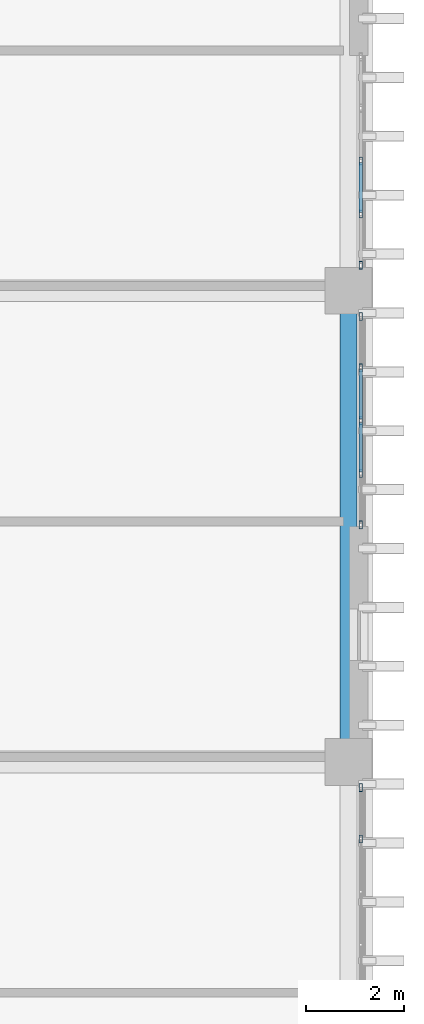
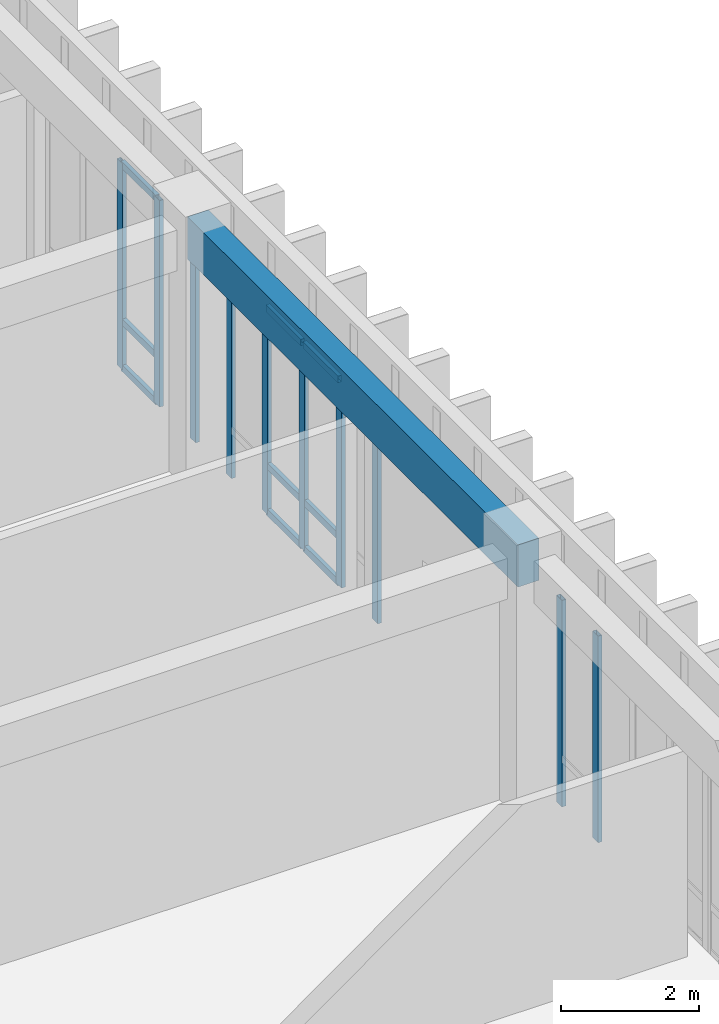
# One storey, part 80 of 133: 19 members, 1 beam, 3 elements without a shape of their own.
"""IFC4 building model written with IfcOpenShell, lengths in metres."""

from ifc_helpers import new_model, si_unit, direction, frame, origin, origin_2d, place, context, subcontext, project, spatial, rectangle, hollow_rectangle, extrude, material, layer, layer_set, material_profile, profile_set, type_object, element, aggregate, save


model = new_model("IFC4")

# Units and contexts
model_context = context("Model", 3, precision=1e-05, world=origin(), true_north=direction((0.0, 1.0)))
body_context = subcontext(model_context, "Body", "Model", "MODEL_VIEW")
ifc_project = project(units=[si_unit("LENGTHUNIT", "METRE"), si_unit("AREAUNIT", "SQUARE_METRE"), si_unit("VOLUMEUNIT", "CUBIC_METRE"), si_unit("PLANEANGLEUNIT", "RADIAN"), si_unit("MASSUNIT", "GRAM", prefix="KILO")], contexts=[model_context])

# Site, building, storey
site_placement = place(None, origin())
site = spatial("IfcSite", under=ifc_project, at=site_placement, CompositionType="ELEMENT")
building_placement = place(site_placement, origin())
building = spatial("IfcBuilding", under=site, at=building_placement, Name="Nakhvara Creek Congress Hotel", CompositionType="ELEMENT")
storey_placement = place(building_placement, frame((0.0, 0.0, 11.39990234375)))
storey = spatial("IfcBuildingStorey", under=building, at=storey_placement, Name="L02", CompositionType="ELEMENT", Elevation=11.39990234375)

# Beam
ifc_material_1 = material(Name="Concrete C40/50", Category="concrete")
ifc_material_profile_1 = material_profile(ifc_material_1, rectangle(XDim=0.35009765625, YDim=0.75, at=origin_2d()), Name="RC-SPANDREL 350x750", Category="LoadBearing")
ifc_profile_set_1 = profile_set([ifc_material_profile_1], Name="Concrete C40/50")
beam_type = type_object("IfcBeamType", Name="BM-SPN-350X750", PredefinedType="SPANDREL", material=ifc_profile_set_1)
beam_placement = place(storey_placement, frame((179.35009765625, 96.0, 4.045166015625), z_axis=(0.0, 1.0, 0.0), x_axis=(-1.0, 0.0, 0.0)))
element("IfcBeam", 1, at=beam_placement, inside=storey, type_object=beam_type, Name="Beam SP1-L02-1661", PredefinedType="SPANDREL", context=body_context, shape_type="SweptSolid", body=[
    extrude(rectangle(XDim=0.35009765625, YDim=0.75, at=origin_2d()), origin(), (0.0, 0.0, 1.0), 9.60009765625),
])

# Curtain wall, members
ifc_material_2 = material(Name="Bronze-anodised aluminium AW-6063-T6 and double-silver low-E glass", Category="aluminium")
ifc_layer = layer(ifc_material_2, 0.199951171875)
ifc_layer_set = layer_set([ifc_layer], Name="Bronze-anodised aluminium AW-6063-T6 and double-silver low-E glass")
curtain_wall_type = type_object("IfcCurtainWallType", Name="CW-HTL-UNIT", PredefinedType="USERDEFINED", material=ifc_layer_set)
curtain_wall_1_placement = place(storey_placement, origin())
curtain_wall_1 = element("IfcCurtainWall", 2, at=curtain_wall_1_placement, inside=storey, type_object=curtain_wall_type, Name="Curtain Wall CW141", ObjectType="UNITISED", PredefinedType="USERDEFINED")
ifc_material_3 = material(Name="Bronze-anodised aluminium AW-6063-T6", Category="aluminium")
ifc_material_profile_2 = material_profile(ifc_material_3, hollow_rectangle(XDim=0.06494140625, YDim=0.159912109375, WallThickness=0.00390625, at=origin_2d()), Name="ALU-MULL 65x160x4", Category="LoadBearing")
ifc_profile_set_2 = profile_set([ifc_material_profile_2], Name="Bronze-anodised aluminium AW-6063-T6")
member_type_1 = type_object("IfcMemberType", Name="CW-MULL-160", PredefinedType="MULLION", material=ifc_profile_set_2)
member_1_placement = place(storey_placement, frame((179.60009765625, 95.4775390625, 0.0), z_axis=(0.0, 0.0, 1.0), x_axis=(1.0, 0.0, 0.0)))
member_1 = element("IfcMember", 3, at=member_1_placement, type_object=member_type_1, Name="CW141 mullion 1", PredefinedType="MULLION", context=body_context, shape_type="SweptSolid", body=[
    extrude(hollow_rectangle(XDim=0.06494140625, YDim=0.159912109375, WallThickness=0.00390625, at=origin_2d()), origin(), (0.0, 0.0, 1.0), 3.662109375),
])
member_2_placement = place(storey_placement, frame((179.60009765625, 94.4326171875, 0.0), z_axis=(0.0, 0.0, 1.0), x_axis=(1.0, 0.0, 0.0)))
member_2 = element("IfcMember", 4, at=member_2_placement, type_object=member_type_1, Name="CW141 mullion 2", PredefinedType="MULLION", context=body_context, shape_type="SweptSolid", body=[
    extrude(hollow_rectangle(XDim=0.06494140625, YDim=0.159912109375, WallThickness=0.00390625, at=origin_2d()), origin(), (0.0, 0.0, 1.0), 3.662109375),
])
aggregate(curtain_wall_1, [member_1, member_2])

curtain_wall_2_placement = place(storey_placement, origin())
curtain_wall_2 = element("IfcCurtainWall", 5, at=curtain_wall_2_placement, inside=storey, type_object=curtain_wall_type, Name="Curtain Wall CW143", ObjectType="UNITISED", PredefinedType="USERDEFINED")
member_3_placement = place(storey_placement, frame((179.60009765625, 105.077392578125, 0.0), z_axis=(0.0, 0.0, 1.0), x_axis=(1.0, 0.0, 0.0)))
member_3 = element("IfcMember", 6, at=member_3_placement, type_object=member_type_1, Name="CW143 mullion 1", PredefinedType="MULLION", context=body_context, shape_type="SweptSolid", body=[
    extrude(hollow_rectangle(XDim=0.06494140625, YDim=0.159912109375, WallThickness=0.00390625, at=origin_2d()), origin(), (0.0, 0.0, 1.0), 3.662109375),
])
member_4_placement = place(storey_placement, frame((179.60009765625, 104.032470703125, 0.0), z_axis=(0.0, 0.0, 1.0), x_axis=(1.0, 0.0, 0.0)))
member_4 = element("IfcMember", 7, at=member_4_placement, type_object=member_type_1, Name="CW143 mullion 2", PredefinedType="MULLION", context=body_context, shape_type="SweptSolid", body=[
    extrude(hollow_rectangle(XDim=0.06494140625, YDim=0.159912109375, WallThickness=0.00390625, at=origin_2d()), origin(), (0.0, 0.0, 1.0), 3.662109375),
])
member_5_placement = place(storey_placement, frame((179.60009765625, 102.955078125, 0.0), z_axis=(0.0, 0.0, 1.0), x_axis=(1.0, 0.0, 0.0)))
member_5 = element("IfcMember", 8, at=member_5_placement, type_object=member_type_1, Name="CW143 mullion 3", PredefinedType="MULLION", context=body_context, shape_type="SweptSolid", body=[
    extrude(hollow_rectangle(XDim=0.06494140625, YDim=0.159912109375, WallThickness=0.00390625, at=origin_2d()), origin(), (0.0, 0.0, 1.0), 3.662109375),
])
member_6_placement = place(storey_placement, frame((179.60009765625, 101.87744140625, 0.0), z_axis=(0.0, 0.0, 1.0), x_axis=(1.0, 0.0, 0.0)))
member_6 = element("IfcMember", 9, at=member_6_placement, type_object=member_type_1, Name="CW143 mullion 4", PredefinedType="MULLION", context=body_context, shape_type="SweptSolid", body=[
    extrude(hollow_rectangle(XDim=0.06494140625, YDim=0.159912109375, WallThickness=0.00390625, at=origin_2d()), origin(), (0.0, 0.0, 1.0), 3.662109375),
])
member_7_placement = place(storey_placement, frame((179.60009765625, 100.83251953125, 0.0), z_axis=(0.0, 0.0, 1.0), x_axis=(1.0, 0.0, 0.0)))
member_7 = element("IfcMember", 10, at=member_7_placement, type_object=member_type_1, Name="CW143 mullion 5", PredefinedType="MULLION", context=body_context, shape_type="SweptSolid", body=[
    extrude(hollow_rectangle(XDim=0.06494140625, YDim=0.159912109375, WallThickness=0.00390625, at=origin_2d()), origin(), (0.0, 0.0, 1.0), 3.662109375),
])

curtain_wall_3_placement = place(storey_placement, origin())
curtain_wall_3 = element("IfcCurtainWall", 11, at=curtain_wall_3_placement, inside=storey, type_object=curtain_wall_type, Name="Curtain Wall CW145", ObjectType="UNITISED", PredefinedType="USERDEFINED")
member_8_placement = place(storey_placement, frame((179.60009765625, 108.2451171875, 0.0), z_axis=(0.0, 0.0, 1.0), x_axis=(1.0, 0.0, 0.0)))
member_8 = element("IfcMember", 12, at=member_8_placement, type_object=member_type_1, Name="CW145 mullion 3", PredefinedType="MULLION", context=body_context, shape_type="SweptSolid", body=[
    extrude(hollow_rectangle(XDim=0.06494140625, YDim=0.159912109375, WallThickness=0.00390625, at=origin_2d()), origin(), (0.0, 0.0, 1.0), 3.662109375),
])
member_9_placement = place(storey_placement, frame((179.60009765625, 107.16748046875, 0.0), z_axis=(0.0, 0.0, 1.0), x_axis=(1.0, 0.0, 0.0)))
member_9 = element("IfcMember", 13, at=member_9_placement, type_object=member_type_1, Name="CW145 mullion 4", PredefinedType="MULLION", context=body_context, shape_type="SweptSolid", body=[
    extrude(hollow_rectangle(XDim=0.06494140625, YDim=0.159912109375, WallThickness=0.00390625, at=origin_2d()), origin(), (0.0, 0.0, 1.0), 3.662109375),
])
member_10_placement = place(storey_placement, frame((179.60009765625, 106.12255859375, 0.0), z_axis=(0.0, 0.0, 1.0), x_axis=(1.0, 0.0, 0.0)))
member_10 = element("IfcMember", 14, at=member_10_placement, type_object=member_type_1, Name="CW145 mullion 5", PredefinedType="MULLION", context=body_context, shape_type="SweptSolid", body=[
    extrude(hollow_rectangle(XDim=0.06494140625, YDim=0.159912109375, WallThickness=0.00390625, at=origin_2d()), origin(), (0.0, 0.0, 1.0), 3.662109375),
])

# Member
ifc_material_profile_3 = material_profile(ifc_material_3, hollow_rectangle(XDim=0.06494140625, YDim=0.1201171875, WallThickness=0.00390625, at=origin_2d()), Name="ALU-TRAN 65x120x4", Category="LoadBearing")
ifc_profile_set_3 = profile_set([ifc_material_profile_3], Name="Bronze-anodised aluminium AW-6063-T6")
member_type_2 = type_object("IfcMemberType", Name="CW-TRAN-120", PredefinedType="USERDEFINED", material=ifc_profile_set_3)
member_11_placement = place(storey_placement, frame((179.60009765625, 104.0, 0.03271484375), z_axis=(0.0, -1.0, 0.0), x_axis=(1.0, 0.0, 0.0)))
member_11 = element("IfcMember", 15, at=member_11_placement, type_object=member_type_2, Name="CW143 transom 2.1", ObjectType="TRANSOM", PredefinedType="USERDEFINED", context=body_context, shape_type="SweptSolid", body=[
    extrude(hollow_rectangle(XDim=0.06494140625, YDim=0.1201171875, WallThickness=0.00390625, at=origin_2d()), origin(), (0.0, 0.0, 1.0), 1.012451171875),
])

member_12_placement = place(storey_placement, frame((179.60009765625, 104.0, 0.85009765625), z_axis=(0.0, -1.0, 0.0), x_axis=(1.0, 0.0, 0.0)))
member_12 = element("IfcMember", 16, at=member_12_placement, type_object=member_type_2, Name="CW143 transom 2.2", ObjectType="TRANSOM", PredefinedType="USERDEFINED", context=body_context, shape_type="SweptSolid", body=[
    extrude(hollow_rectangle(XDim=0.06494140625, YDim=0.1201171875, WallThickness=0.00390625, at=origin_2d()), origin(), (0.0, 0.0, 1.0), 1.012451171875),
])

member_13_placement = place(storey_placement, frame((179.60009765625, 104.0, 3.629638671875), z_axis=(0.0, -1.0, 0.0), x_axis=(1.0, 0.0, 0.0)))
member_13 = element("IfcMember", 17, at=member_13_placement, type_object=member_type_2, Name="CW143 transom 2.3", ObjectType="TRANSOM", PredefinedType="USERDEFINED", context=body_context, shape_type="SweptSolid", body=[
    extrude(hollow_rectangle(XDim=0.06494140625, YDim=0.1201171875, WallThickness=0.00390625, at=origin_2d()), origin(), (0.0, 0.0, 1.0), 1.012451171875),
])

member_14_placement = place(storey_placement, frame((179.60009765625, 102.922607421875, 0.03271484375), z_axis=(0.0, -1.0, 0.0), x_axis=(1.0, 0.0, 0.0)))
member_14 = element("IfcMember", 18, at=member_14_placement, type_object=member_type_2, Name="CW143 transom 3.1", ObjectType="TRANSOM", PredefinedType="USERDEFINED", context=body_context, shape_type="SweptSolid", body=[
    extrude(hollow_rectangle(XDim=0.06494140625, YDim=0.1201171875, WallThickness=0.00390625, at=origin_2d()), origin(), (0.0, 0.0, 1.0), 1.0126953125),
])

member_15_placement = place(storey_placement, frame((179.60009765625, 102.922607421875, 0.85009765625), z_axis=(0.0, -1.0, 0.0), x_axis=(1.0, 0.0, 0.0)))
member_15 = element("IfcMember", 19, at=member_15_placement, type_object=member_type_2, Name="CW143 transom 3.2", ObjectType="TRANSOM", PredefinedType="USERDEFINED", context=body_context, shape_type="SweptSolid", body=[
    extrude(hollow_rectangle(XDim=0.06494140625, YDim=0.1201171875, WallThickness=0.00390625, at=origin_2d()), origin(), (0.0, 0.0, 1.0), 1.0126953125),
])

member_16_placement = place(storey_placement, frame((179.60009765625, 102.922607421875, 3.629638671875), z_axis=(0.0, -1.0, 0.0), x_axis=(1.0, 0.0, 0.0)))
member_16 = element("IfcMember", 20, at=member_16_placement, type_object=member_type_2, Name="CW143 transom 3.3", ObjectType="TRANSOM", PredefinedType="USERDEFINED", context=body_context, shape_type="SweptSolid", body=[
    extrude(hollow_rectangle(XDim=0.06494140625, YDim=0.1201171875, WallThickness=0.00390625, at=origin_2d()), origin(), (0.0, 0.0, 1.0), 1.0126953125),
])

aggregate(curtain_wall_2, [member_3, member_4, member_5, member_6, member_7, member_11, member_12, member_13, member_14, member_15, member_16])

member_17_placement = place(storey_placement, frame((179.60009765625, 108.21240234375, 0.03271484375), z_axis=(0.0, -1.0, 0.0), x_axis=(1.0, 0.0, 0.0)))
member_17 = element("IfcMember", 21, at=member_17_placement, type_object=member_type_2, Name="CW145 transom 3.1", ObjectType="TRANSOM", PredefinedType="USERDEFINED", context=body_context, shape_type="SweptSolid", body=[
    extrude(hollow_rectangle(XDim=0.06494140625, YDim=0.1201171875, WallThickness=0.00390625, at=origin_2d()), origin(), (0.0, 0.0, 1.0), 1.012451171875),
])

member_18_placement = place(storey_placement, frame((179.60009765625, 108.21240234375, 0.85009765625), z_axis=(0.0, -1.0, 0.0), x_axis=(1.0, 0.0, 0.0)))
member_18 = element("IfcMember", 22, at=member_18_placement, type_object=member_type_2, Name="CW145 transom 3.2", ObjectType="TRANSOM", PredefinedType="USERDEFINED", context=body_context, shape_type="SweptSolid", body=[
    extrude(hollow_rectangle(XDim=0.06494140625, YDim=0.1201171875, WallThickness=0.00390625, at=origin_2d()), origin(), (0.0, 0.0, 1.0), 1.012451171875),
])

member_19_placement = place(storey_placement, frame((179.60009765625, 108.21240234375, 3.629638671875), z_axis=(0.0, -1.0, 0.0), x_axis=(1.0, 0.0, 0.0)))
member_19 = element("IfcMember", 23, at=member_19_placement, type_object=member_type_2, Name="CW145 transom 3.3", ObjectType="TRANSOM", PredefinedType="USERDEFINED", context=body_context, shape_type="SweptSolid", body=[
    extrude(hollow_rectangle(XDim=0.06494140625, YDim=0.1201171875, WallThickness=0.00390625, at=origin_2d()), origin(), (0.0, 0.0, 1.0), 1.012451171875),
])

aggregate(curtain_wall_3, [member_8, member_9, member_10, member_17, member_18, member_19])

save(model, "model.ifc")
